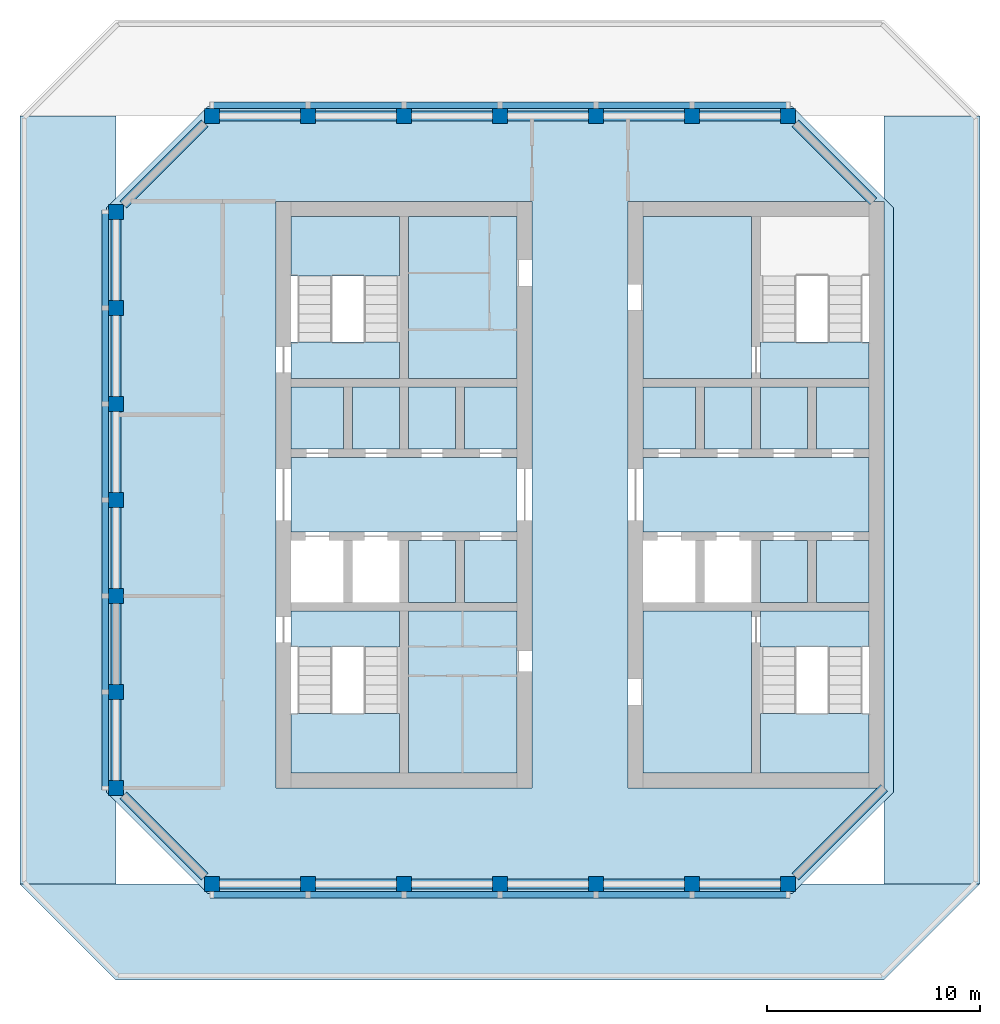
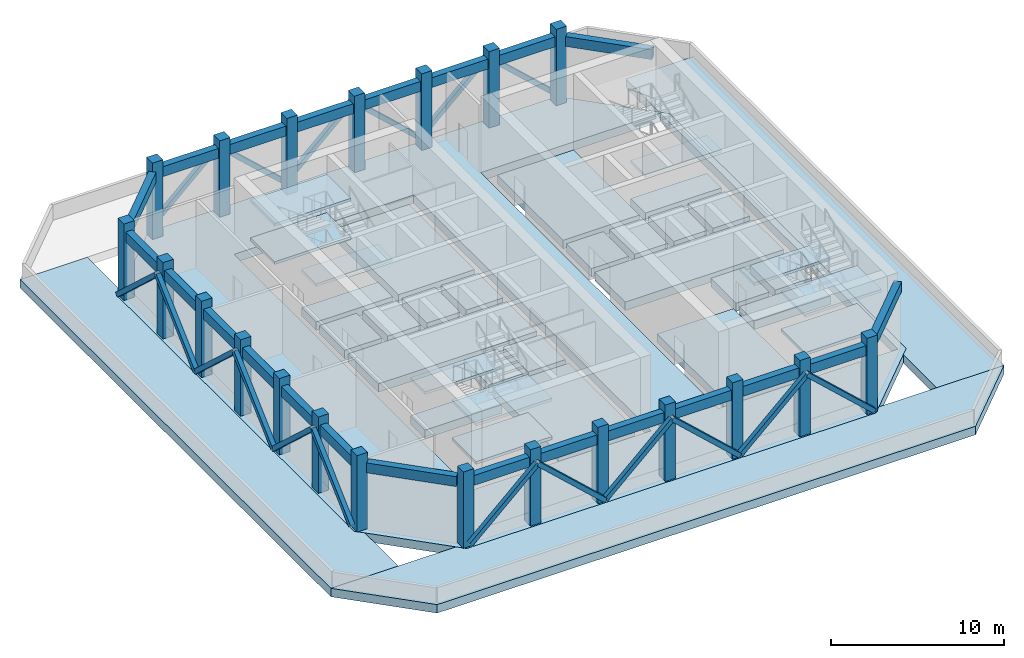
# One storey, part 1 of 8: 36 slabs, 22 beams, 21 columns, 18 members, 4 elements without a shape of their own.
"""IFC4 building model written with IfcOpenShell, lengths in metres."""

from ifc_helpers import new_model, si_unit, direction, frame, origin, origin_2d, place, context, subcontext, project, spatial, polyline, rectangle, hollow_rectangle, outline, extrude, material, layer, layer_set, material_profile, profile_set, type_object, element, aggregate, save


model = new_model("IFC4")

# Units and contexts
model_context = context("Model", 3, precision=1e-05, world=origin(), true_north=direction((0.0, 1.0)))
body_context = subcontext(model_context, "Body", "Model", "MODEL_VIEW")
ifc_project = project(units=[si_unit("LENGTHUNIT", "METRE"), si_unit("AREAUNIT", "SQUARE_METRE"), si_unit("VOLUMEUNIT", "CUBIC_METRE"), si_unit("PLANEANGLEUNIT", "RADIAN"), si_unit("MASSUNIT", "GRAM", prefix="KILO")], contexts=[model_context])

# Site, building, storey
site_placement = place(None, origin())
site = spatial("IfcSite", under=ifc_project, at=site_placement, CompositionType="ELEMENT")
building_placement = place(site_placement, origin())
building = spatial("IfcBuilding", under=site, at=building_placement, Name="Corbel Stack Research Tower", CompositionType="ELEMENT")
storey_placement = place(building_placement, frame((0.0, 0.0, 301.0)))
storey = spatial("IfcBuildingStorey", under=building, at=storey_placement, Name="L68", CompositionType="ELEMENT", Elevation=301.0)

# Columns
ifc_material_1 = material(Name="Concrete C60/75", Category="concrete")
ifc_material_profile_1 = material_profile(ifc_material_1, rectangle(XDim=0.699951171875, YDim=0.699951171875, at=origin_2d()), Name="RC 700 x 700")
ifc_profile_set_1 = profile_set([ifc_material_profile_1], Name="Concrete C60/75")
column_type = type_object("IfcColumnType", Name="C-700-60", PredefinedType="COLUMN", material=ifc_profile_set_1)
for number, where, z_axis, x_axis, name in (
    (1, (-18.0, -9.0, -0.60009765625), (0.0, 0.0, 1.0), (1.0, 0.0, 0.0), "Column 4/F L68"),
    (2, (-18.0, -4.5, -0.60009765625), (0.0, 0.0, 1.0), (1.0, 0.0, 0.0), "Column 4/G L68"),
    (3, (-18.0, 0.0, -0.60009765625), (0.0, 0.0, 1.0), (1.0, 0.0, 0.0), "Column 4/H L68"),
    (4, (-18.0, 4.5, -0.60009765625), (0.0, 0.0, 1.0), (1.0, 0.0, 0.0), "Column 4/J L68"),
    (5, (-18.0, 9.0, -0.60009765625), (0.0, 0.0, 1.0), (1.0, 0.0, 0.0), "Column 4/K L68"),
    (6, (-18.0, 13.5, -0.60009765625), (0.0, 0.0, 1.0), (1.0, 0.0, 0.0), "Column 4/L L68"),
    (7, (-18.0, 18.0, -0.60009765625), (0.0, 0.0, 1.0), (1.0, 0.0, 0.0), "Column 4/M L68"),
    (8, (-13.5, -13.5, -0.60009765625), (0.0, 0.0, 1.0), (1.0, 0.0, 0.0), "Column 5/E L68"),
    (9, (-13.5, 22.5, -0.60009765625), (0.0, 0.0, 1.0), (1.0, 0.0, 0.0), "Column 5/N L68"),
    (10, (-9.0, -13.5, -0.60009765625), (0.0, 0.0, 1.0), (1.0, 0.0, 0.0), "Column 6/E L68"),
    (11, (-9.0, 22.5, -0.60009765625), (0.0, 0.0, 1.0), (1.0, 0.0, 0.0), "Column 6/N L68"),
    (12, (-4.5, -13.5, -0.60009765625), (0.0, 0.0, 1.0), (1.0, 0.0, 0.0), "Column 7/E L68"),
    (13, (-4.5, 22.5, -0.60009765625), (0.0, 0.0, 1.0), (1.0, 0.0, 0.0), "Column 7/N L68"),
    (14, (0.0, -13.5, -0.60009765625), (0.0, 0.0, 1.0), (1.0, 0.0, 0.0), "Column 8/E L68"),
    (15, (0.0, 22.5, -0.60009765625), (0.0, 0.0, 1.0), (1.0, 0.0, 0.0), "Column 8/N L68"),
    (16, (4.5, -13.5, -0.60009765625), (0.0, 0.0, 1.0), (1.0, 0.0, 0.0), "Column 9/E L68"),
    (17, (4.5, 22.5, -0.60009765625), (0.0, 0.0, 1.0), (1.0, 0.0, 0.0), "Column 9/N L68"),
    (18, (9.0, -13.5, -0.60009765625), (0.0, 0.0, 1.0), (1.0, 0.0, 0.0), "Column 10/E L68"),
    (19, (9.0, 22.5, -0.60009765625), (0.0, 0.0, 1.0), (1.0, 0.0, 0.0), "Column 10/N L68"),
    (20, (13.5, -13.5, -0.60009765625), (0.0, 0.0, 1.0), (1.0, 0.0, 0.0), "Column 11/E L68"),
    (21, (13.5, 22.5, -0.60009765625), (0.0, 0.0, 1.0), (1.0, 0.0, 0.0), "Column 11/N L68"),
):
    element("IfcColumn", number, at=place(storey_placement, frame(where, z_axis=z_axis, x_axis=x_axis)), inside=storey, type_object=column_type, Name=name, PredefinedType="COLUMN", context=body_context, shape_type="SweptSolid", body=[
        extrude(rectangle(XDim=0.699951171875, YDim=0.699951171875, at=origin_2d()), origin(), (0.0, 0.0, 1.0), 6.0),
    ])

# Members
ifc_material_2 = material(Name="Steel S355", Category="steel")
ifc_material_profile_2 = material_profile(ifc_material_2, hollow_rectangle(XDim=0.304931640625, YDim=0.304931640625, WallThickness=0.014892578125, at=origin_2d()), Name="HSS12x12x5/8")
ifc_profile_set_2 = profile_set([ifc_material_profile_2], Name="Steel S355")
member_type = type_object("IfcMemberType", Name="Crown belt brace HSS12x12x5/8", PredefinedType="BRACE", material=ifc_profile_set_2)
for number, where, z_axis, x_axis, name in (
    (22, (-13.5, -14.00244140625, 0.300048828125), (0.735124465476, 0.0, 0.677932164939), (0.0, 1.0, 0.0), "Crown belt brace L68-01"),
    (23, (-4.5, -14.00244140625, 0.300048828125), (-0.735124465476, 0.0, 0.677932164939), (0.0, -1.0, 0.0), "Crown belt brace L68-02"),
    (24, (-4.5, -14.00244140625, 0.300048828125), (0.735124465476, 0.0, 0.677932164939), (0.0, 1.0, 0.0), "Crown belt brace L68-03"),
    (25, (4.5, -14.00244140625, 0.300048828125), (-0.735124465476, 0.0, 0.677932164939), (0.0, -1.0, 0.0), "Crown belt brace L68-04"),
    (26, (4.5, -14.00244140625, 0.300048828125), (0.735124465476, 0.0, 0.677932164939), (0.0, 1.0, 0.0), "Crown belt brace L68-05"),
    (27, (13.5, -14.00244140625, 0.300048828125), (-0.735124465476, 0.0, 0.677932164939), (0.0, -1.0, 0.0), "Crown belt brace L68-06"),
    (28, (13.5, 23.00244140625, 0.300048828125), (-0.735124465476, 0.0, 0.677932164939), (0.0, -1.0, 0.0), "Crown belt brace L68-07"),
    (29, (4.5, 23.00244140625, 0.300048828125), (0.735124465476, 0.0, 0.677932164939), (0.0, 1.0, 0.0), "Crown belt brace L68-08"),
    (30, (4.5, 23.00244140625, 0.300048828125), (-0.735124465476, 0.0, 0.677932164939), (0.0, -1.0, 0.0), "Crown belt brace L68-09"),
    (31, (-4.5, 23.00244140625, 0.300048828125), (0.735124465476, 0.0, 0.677932164939), (0.0, 1.0, 0.0), "Crown belt brace L68-10"),
    (32, (-4.5, 23.00244140625, 0.300048828125), (-0.735124465476, 0.0, 0.677932164939), (0.0, -1.0, 0.0), "Crown belt brace L68-11"),
    (33, (-13.5, 23.00244140625, 0.300048828125), (0.735124465476, 0.0, 0.677932164939), (0.0, 1.0, 0.0), "Crown belt brace L68-12"),
    (34, (-18.50244140625, 18.0, 0.300048828125), (0.0, -0.735124465476, 0.677932164939), (1.0, 0.0, 0.0), "Crown belt brace L68-13"),
    (35, (-18.50244140625, 9.0, 0.300048828125), (0.0, 0.735124465476, 0.677932164939), (-1.0, 0.0, 0.0), "Crown belt brace L68-14"),
    (36, (-18.50244140625, 9.0, 0.300048828125), (0.0, -0.735124465476, 0.677932164939), (1.0, 0.0, 0.0), "Crown belt brace L68-15"),
    (37, (-18.50244140625, 0.0, 0.300048828125), (0.0, 0.735124465476, 0.677932164939), (-1.0, 0.0, 0.0), "Crown belt brace L68-16"),
    (38, (-18.50244140625, 0.0, 0.300048828125), (0.0, -0.735124465476, 0.677932164939), (1.0, 0.0, 0.0), "Crown belt brace L68-17"),
    (39, (-18.50244140625, -9.0, 0.300048828125), (0.0, 0.735124465476, 0.677932164939), (-1.0, 0.0, 0.0), "Crown belt brace L68-18"),
):
    element("IfcMember", number, at=place(storey_placement, frame(where, z_axis=z_axis, x_axis=x_axis)), inside=storey, type_object=member_type, Name=name, PredefinedType="BRACE", context=body_context, shape_type="SweptSolid", body=[
        extrude(hollow_rectangle(XDim=0.304931640625, YDim=0.304931640625, WallThickness=0.014892578125, at=origin_2d()), origin(), (0.0, 0.0, 1.0), 6.121337890625),
    ])

# Beams
ifc_material_3 = material(Name="Concrete C60/75", Category="concrete")
ifc_material_profile_3 = material_profile(ifc_material_3, rectangle(XDim=0.449951171875, YDim=0.699951171875, at=origin_2d()), Name="RC 450 x 700")
ifc_profile_set_3 = profile_set([ifc_material_profile_3], Name="Concrete C60/75")
beam_type = type_object("IfcBeamType", Name="SB-450-700", PredefinedType="SPANDREL", material=ifc_profile_set_3)
for number, where, z_axis, x_axis, name in (
    (40, (-13.14990234375, -13.5, 4.449951171875), (1.0, 0.0, 0.0), (0.0, 1.0, 0.0), "Spandrel beam L68-01"),
    (41, (-8.64990234375, -13.5, 4.449951171875), (1.0, 0.0, 0.0), (0.0, 1.0, 0.0), "Spandrel beam L68-02"),
    (42, (-4.14990234375, -13.5, 4.449951171875), (1.0, 0.0, 0.0), (0.0, 1.0, 0.0), "Spandrel beam L68-03"),
    (43, (0.35009765625, -13.5, 4.449951171875), (1.0, 0.0, 0.0), (0.0, 1.0, 0.0), "Spandrel beam L68-04"),
    (44, (4.85009765625, -13.5, 4.449951171875), (1.0, 0.0, 0.0), (0.0, 1.0, 0.0), "Spandrel beam L68-05"),
    (45, (9.35009765625, -13.5, 4.449951171875), (1.0, 0.0, 0.0), (0.0, 1.0, 0.0), "Spandrel beam L68-06"),
):
    element("IfcBeam", number, at=place(storey_placement, frame(where, z_axis=z_axis, x_axis=x_axis)), inside=storey, type_object=beam_type, Name=name, PredefinedType="SPANDREL", context=body_context, shape_type="SweptSolid", body=[
        extrude(rectangle(XDim=0.449951171875, YDim=0.699951171875, at=origin_2d()), origin(), (0.0, 0.0, 1.0), 3.7998046875),
    ])
beam_1_placement = place(storey_placement, frame((13.85009765625, -13.14990234375, 4.449951171875), z_axis=(0.707106781187, 0.707106781187, 0.0), x_axis=(-0.707106781187, 0.707106781187, 0.0)))
element("IfcBeam", 46, at=beam_1_placement, inside=storey, type_object=beam_type, Name="Spandrel beam L68-07", PredefinedType="SPANDREL", context=body_context, shape_type="SweptSolid", body=[
    extrude(rectangle(XDim=0.449951171875, YDim=0.699951171875, at=origin_2d()), origin(), (0.0, 0.0, 1.0), 5.868896484375),
])
beam_2_placement = place(storey_placement, frame((17.5, 18.5, 4.449951171875), z_axis=(-0.707106781187, 0.707106781187, 0.0), x_axis=(-0.707106781187, -0.707106781187, 0.0)))
element("IfcBeam", 47, at=beam_2_placement, inside=storey, type_object=beam_type, Name="Spandrel beam L68-08", PredefinedType="SPANDREL", context=body_context, shape_type="SweptSolid", body=[
    extrude(rectangle(XDim=0.449951171875, YDim=0.699951171875, at=origin_2d()), origin(), (0.0, 0.0, 1.0), 5.16162109375),
])
for number, where, z_axis, x_axis, name in (
    (48, (13.14990234375, 22.5, 4.449951171875), (-1.0, 0.0, 0.0), (0.0, -1.0, 0.0), "Spandrel beam L68-09"),
    (49, (8.64990234375, 22.5, 4.449951171875), (-1.0, 0.0, 0.0), (0.0, -1.0, 0.0), "Spandrel beam L68-10"),
    (50, (4.14990234375, 22.5, 4.449951171875), (-1.0, 0.0, 0.0), (0.0, -1.0, 0.0), "Spandrel beam L68-11"),
    (51, (-0.35009765625, 22.5, 4.449951171875), (-1.0, 0.0, 0.0), (0.0, -1.0, 0.0), "Spandrel beam L68-12"),
    (52, (-4.85009765625, 22.5, 4.449951171875), (-1.0, 0.0, 0.0), (0.0, -1.0, 0.0), "Spandrel beam L68-13"),
    (53, (-9.35009765625, 22.5, 4.449951171875), (-1.0, 0.0, 0.0), (0.0, -1.0, 0.0), "Spandrel beam L68-14"),
):
    element("IfcBeam", number, at=place(storey_placement, frame(where, z_axis=z_axis, x_axis=x_axis)), inside=storey, type_object=beam_type, Name=name, PredefinedType="SPANDREL", context=body_context, shape_type="SweptSolid", body=[
        extrude(rectangle(XDim=0.449951171875, YDim=0.699951171875, at=origin_2d()), origin(), (0.0, 0.0, 1.0), 3.7998046875),
    ])
beam_3_placement = place(storey_placement, frame((-13.85009765625, 22.14990234375, 4.449951171875), z_axis=(-0.707106781187, -0.707106781187, 0.0), x_axis=(0.707106781187, -0.707106781187, 0.0)))
element("IfcBeam", 54, at=beam_3_placement, inside=storey, type_object=beam_type, Name="Spandrel beam L68-15", PredefinedType="SPANDREL", context=body_context, shape_type="SweptSolid", body=[
    extrude(rectangle(XDim=0.449951171875, YDim=0.699951171875, at=origin_2d()), origin(), (0.0, 0.0, 1.0), 5.373779296875),
])
for number, where, z_axis, x_axis, name in (
    (55, (-18.0, 17.64990234375, 4.449951171875), (0.0, -1.0, 0.0), (1.0, 0.0, 0.0), "Spandrel beam L68-16"),
    (56, (-18.0, 13.14990234375, 4.449951171875), (0.0, -1.0, 0.0), (1.0, 0.0, 0.0), "Spandrel beam L68-17"),
    (57, (-18.0, 8.64990234375, 4.449951171875), (0.0, -1.0, 0.0), (1.0, 0.0, 0.0), "Spandrel beam L68-18"),
    (58, (-18.0, 4.14990234375, 4.449951171875), (0.0, -1.0, 0.0), (1.0, 0.0, 0.0), "Spandrel beam L68-19"),
    (59, (-18.0, -0.35009765625, 4.449951171875), (0.0, -1.0, 0.0), (1.0, 0.0, 0.0), "Spandrel beam L68-20"),
    (60, (-18.0, -4.85009765625, 4.449951171875), (0.0, -1.0, 0.0), (1.0, 0.0, 0.0), "Spandrel beam L68-21"),
):
    element("IfcBeam", number, at=place(storey_placement, frame(where, z_axis=z_axis, x_axis=x_axis)), inside=storey, type_object=beam_type, Name=name, PredefinedType="SPANDREL", context=body_context, shape_type="SweptSolid", body=[
        extrude(rectangle(XDim=0.449951171875, YDim=0.699951171875, at=origin_2d()), origin(), (0.0, 0.0, 1.0), 3.7998046875),
    ])
beam_4_placement = place(storey_placement, frame((-17.64990234375, -9.35009765625, 4.449951171875), z_axis=(0.707106781187, -0.707106781187, 0.0), x_axis=(0.707106781187, 0.707106781187, 0.0)))
element("IfcBeam", 61, at=beam_4_placement, inside=storey, type_object=beam_type, Name="Spandrel beam L68-22", PredefinedType="SPANDREL", context=body_context, shape_type="SweptSolid", body=[
    extrude(rectangle(XDim=0.449951171875, YDim=0.699951171875, at=origin_2d()), origin(), (0.0, 0.0, 1.0), 5.373779296875),
])

# Slabs
ifc_material_4 = material(Name="Concrete C45/55", Category="concrete")
ifc_layer_1 = layer(ifc_material_4, 0.60009765625)
ifc_layer_set_1 = layer_set([ifc_layer_1], Name="Concrete C45/55")
slab_type_1 = type_object("IfcSlabType", Name="PT-600", PredefinedType="FLOOR", material=ifc_layer_set_1)
slab_1_placement = place(storey_placement, frame((0.0, 0.0, -0.60009765625)))
element("IfcSlab", 62, at=slab_1_placement, inside=storey, type_object=slab_type_1, Name="Floor slab L68", PredefinedType="FLOOR", context=body_context, shape_type="SweptSolid", body=[
    extrude(outline(polyline([(-13.686279296875, -13.949951171875), (13.686279296875, -13.949951171875), (18.449951171875, -9.186279296875), (18.449951171875, 18.186279296875), (13.686279296875, 22.949951171875), (-13.686279296875, 22.949951171875), (-18.449951171875, 18.186279296875), (-18.449951171875, -9.186279296875), (-13.686279296875, -13.949951171875)]), holes=[polyline([(6.0, -9.0), (6.0, 18.5), (18.0, 18.5), (18.0, -9.0), (6.0, -9.0)]), polyline([(-10.5, -9.0), (-10.5, 18.5), (1.5, 18.5), (1.5, -9.0), (-10.5, -9.0)])]), origin(), (0.0, 0.0, 1.0), 0.60009765625),
])
slab_2_placement = place(storey_placement, frame((0.0, 0.0, -0.60009765625)))
element("IfcSlab", 63, at=slab_2_placement, inside=storey, type_object=slab_type_1, Name="West core floor L68", PredefinedType="FLOOR", context=body_context, shape_type="SweptSolid", body=[
    extrude(outline(polyline([(-9.800048828125, 6.5), (-9.800048828125, 3.0), (0.800048828125, 3.0), (0.800048828125, 6.5), (-9.800048828125, 6.5)])), origin(), (0.0, 0.0, 1.0), 0.60009765625),
])
slab_3_placement = place(storey_placement, frame((0.0, 0.0, -0.60009765625)))
element("IfcSlab", 64, at=slab_3_placement, inside=storey, type_object=slab_type_1, Name="West core floor L68", PredefinedType="FLOOR", context=body_context, shape_type="SweptSolid", body=[
    extrude(outline(polyline([(-9.800048828125, 6.89990234375), (-7.324951171875, 6.89990234375), (-7.324951171875, 9.800048828125), (-9.800048828125, 9.800048828125), (-9.800048828125, 6.89990234375)])), origin(), (0.0, 0.0, 1.0), 0.60009765625),
])
slab_4_placement = place(storey_placement, frame((0.0, 0.0, -0.60009765625)))
element("IfcSlab", 65, at=slab_4_placement, inside=storey, type_object=slab_type_1, Name="West core floor L68", PredefinedType="FLOOR", context=body_context, shape_type="SweptSolid", body=[
    extrude(outline(polyline([(-6.925048828125, 6.89990234375), (-4.699951171875, 6.89990234375), (-4.699951171875, 9.800048828125), (-6.925048828125, 9.800048828125), (-6.925048828125, 6.89990234375)])), origin(), (0.0, 0.0, 1.0), 0.60009765625),
])
slab_5_placement = place(storey_placement, frame((0.0, 0.0, -0.60009765625)))
element("IfcSlab", 66, at=slab_5_placement, inside=storey, type_object=slab_type_1, Name="West core floor L68", PredefinedType="FLOOR", context=body_context, shape_type="SweptSolid", body=[
    extrude(outline(polyline([(-4.300048828125, -0.699951171875), (-4.300048828125, -8.300048828125), (0.800048828125, -8.300048828125), (0.800048828125, -0.699951171875), (-4.300048828125, -0.699951171875)])), origin(), (0.0, 0.0, 1.0), 0.60009765625),
])
slab_6_placement = place(storey_placement, frame((0.0, 0.0, -0.60009765625)))
element("IfcSlab", 67, at=slab_6_placement, inside=storey, type_object=slab_type_1, Name="West core floor L68", PredefinedType="FLOOR", context=body_context, shape_type="SweptSolid", body=[
    extrude(outline(polyline([(-4.300048828125, 2.60009765625), (-4.300048828125, -0.300048828125), (-2.074951171875, -0.300048828125), (-2.074951171875, 2.60009765625), (-4.300048828125, 2.60009765625)])), origin(), (0.0, 0.0, 1.0), 0.60009765625),
])
slab_7_placement = place(storey_placement, frame((0.0, 0.0, -0.60009765625)))
element("IfcSlab", 68, at=slab_7_placement, inside=storey, type_object=slab_type_1, Name="West core floor L68", PredefinedType="FLOOR", context=body_context, shape_type="SweptSolid", body=[
    extrude(outline(polyline([(-2.074951171875, 6.89990234375), (-2.074951171875, 9.800048828125), (-4.300048828125, 9.800048828125), (-4.300048828125, 6.89990234375), (-2.074951171875, 6.89990234375)])), origin(), (0.0, 0.0, 1.0), 0.60009765625),
])
slab_8_placement = place(storey_placement, frame((0.0, 0.0, -0.60009765625)))
element("IfcSlab", 69, at=slab_8_placement, inside=storey, type_object=slab_type_1, Name="West core floor L68", PredefinedType="FLOOR", context=body_context, shape_type="SweptSolid", body=[
    extrude(outline(polyline([(-4.300048828125, 17.800048828125), (-4.300048828125, 10.199951171875), (0.800048828125, 10.199951171875), (0.800048828125, 17.800048828125), (-4.300048828125, 17.800048828125)])), origin(), (0.0, 0.0, 1.0), 0.60009765625),
])
slab_9_placement = place(storey_placement, frame((0.0, 0.0, -0.60009765625)))
element("IfcSlab", 70, at=slab_9_placement, inside=storey, type_object=slab_type_1, Name="West core floor L68", PredefinedType="FLOOR", context=body_context, shape_type="SweptSolid", body=[
    extrude(outline(polyline([(-1.675048828125, 2.60009765625), (-1.675048828125, -0.300048828125), (0.800048828125, -0.300048828125), (0.800048828125, 2.60009765625), (-1.675048828125, 2.60009765625)])), origin(), (0.0, 0.0, 1.0), 0.60009765625),
])
slab_10_placement = place(storey_placement, frame((0.0, 0.0, -0.60009765625)))
element("IfcSlab", 71, at=slab_10_placement, inside=storey, type_object=slab_type_1, Name="West core floor L68", PredefinedType="FLOOR", context=body_context, shape_type="SweptSolid", body=[
    extrude(outline(polyline([(0.800048828125, 6.89990234375), (0.800048828125, 9.800048828125), (-1.675048828125, 9.800048828125), (-1.675048828125, 6.89990234375), (0.800048828125, 6.89990234375)])), origin(), (0.0, 0.0, 1.0), 0.60009765625),
])
slab_11_placement = place(storey_placement, frame((0.0, 0.0, -0.60009765625)))
element("IfcSlab", 72, at=slab_11_placement, inside=storey, type_object=slab_type_1, Name="East core floor L68", PredefinedType="FLOOR", context=body_context, shape_type="SweptSolid", body=[
    extrude(outline(polyline([(6.699951171875, -8.300048828125), (11.800048828125, -8.300048828125), (11.800048828125, -0.699951171875), (6.699951171875, -0.699951171875), (6.699951171875, -8.300048828125)])), origin(), (0.0, 0.0, 1.0), 0.60009765625),
])
slab_12_placement = place(storey_placement, frame((0.0, 0.0, -0.60009765625)))
element("IfcSlab", 73, at=slab_12_placement, inside=storey, type_object=slab_type_1, Name="East core floor L68", PredefinedType="FLOOR", context=body_context, shape_type="SweptSolid", body=[
    extrude(outline(polyline([(6.699951171875, 3.0), (17.300048828125, 3.0), (17.300048828125, 6.5), (6.699951171875, 6.5), (6.699951171875, 3.0)])), origin(), (0.0, 0.0, 1.0), 0.60009765625),
])
slab_13_placement = place(storey_placement, frame((0.0, 0.0, -0.60009765625)))
element("IfcSlab", 74, at=slab_13_placement, inside=storey, type_object=slab_type_1, Name="East core floor L68", PredefinedType="FLOOR", context=body_context, shape_type="SweptSolid", body=[
    extrude(outline(polyline([(6.699951171875, 6.89990234375), (9.175048828125, 6.89990234375), (9.175048828125, 9.800048828125), (6.699951171875, 9.800048828125), (6.699951171875, 6.89990234375)])), origin(), (0.0, 0.0, 1.0), 0.60009765625),
])
slab_14_placement = place(storey_placement, frame((0.0, 0.0, -0.60009765625)))
element("IfcSlab", 75, at=slab_14_placement, inside=storey, type_object=slab_type_1, Name="East core floor L68", PredefinedType="FLOOR", context=body_context, shape_type="SweptSolid", body=[
    extrude(outline(polyline([(6.699951171875, 10.199951171875), (11.800048828125, 10.199951171875), (11.800048828125, 17.800048828125), (6.699951171875, 17.800048828125), (6.699951171875, 10.199951171875)])), origin(), (0.0, 0.0, 1.0), 0.60009765625),
])
slab_15_placement = place(storey_placement, frame((0.0, 0.0, -0.60009765625)))
element("IfcSlab", 76, at=slab_15_placement, inside=storey, type_object=slab_type_1, Name="East core floor L68", PredefinedType="FLOOR", context=body_context, shape_type="SweptSolid", body=[
    extrude(outline(polyline([(9.574951171875, 6.89990234375), (11.800048828125, 6.89990234375), (11.800048828125, 9.800048828125), (9.574951171875, 9.800048828125), (9.574951171875, 6.89990234375)])), origin(), (0.0, 0.0, 1.0), 0.60009765625),
])
slab_16_placement = place(storey_placement, frame((0.0, 0.0, -0.60009765625)))
element("IfcSlab", 77, at=slab_16_placement, inside=storey, type_object=slab_type_1, Name="East core floor L68", PredefinedType="FLOOR", context=body_context, shape_type="SweptSolid", body=[
    extrude(outline(polyline([(12.199951171875, 2.60009765625), (12.199951171875, -0.300048828125), (14.425048828125, -0.300048828125), (14.425048828125, 2.60009765625), (12.199951171875, 2.60009765625)])), origin(), (0.0, 0.0, 1.0), 0.60009765625),
])
slab_17_placement = place(storey_placement, frame((0.0, 0.0, -0.60009765625)))
element("IfcSlab", 78, at=slab_17_placement, inside=storey, type_object=slab_type_1, Name="East core floor L68", PredefinedType="FLOOR", context=body_context, shape_type="SweptSolid", body=[
    extrude(outline(polyline([(14.425048828125, 6.89990234375), (14.425048828125, 9.800048828125), (12.199951171875, 9.800048828125), (12.199951171875, 6.89990234375), (14.425048828125, 6.89990234375)])), origin(), (0.0, 0.0, 1.0), 0.60009765625),
])
slab_18_placement = place(storey_placement, frame((0.0, 0.0, -0.60009765625)))
element("IfcSlab", 79, at=slab_18_placement, inside=storey, type_object=slab_type_1, Name="East core floor L68", PredefinedType="FLOOR", context=body_context, shape_type="SweptSolid", body=[
    extrude(outline(polyline([(14.824951171875, 2.60009765625), (14.824951171875, -0.300048828125), (17.300048828125, -0.300048828125), (17.300048828125, 2.60009765625), (14.824951171875, 2.60009765625)])), origin(), (0.0, 0.0, 1.0), 0.60009765625),
])
slab_19_placement = place(storey_placement, frame((0.0, 0.0, -0.60009765625)))
element("IfcSlab", 80, at=slab_19_placement, inside=storey, type_object=slab_type_1, Name="East core floor L68", PredefinedType="FLOOR", context=body_context, shape_type="SweptSolid", body=[
    extrude(outline(polyline([(17.300048828125, 6.89990234375), (17.300048828125, 9.800048828125), (14.824951171875, 9.800048828125), (14.824951171875, 6.89990234375), (17.300048828125, 6.89990234375)])), origin(), (0.0, 0.0, 1.0), 0.60009765625),
])
slab_20_placement = place(storey_placement, frame((0.0, 0.0, -0.60009765625)))
element("IfcSlab", 81, at=slab_20_placement, inside=storey, type_object=slab_type_1, Name="Stair floor landing ST-W1", PredefinedType="FLOOR", context=body_context, shape_type="SweptSolid", body=[
    extrude(outline(polyline([(-9.800048828125, -2.39990234375), (-4.699951171875, -2.39990234375), (-4.699951171875, -0.699951171875), (-9.800048828125, -0.699951171875), (-9.800048828125, -2.39990234375)])), origin(), (0.0, 0.0, 1.0), 0.60009765625),
])
slab_21_placement = place(storey_placement, frame((0.0, 0.0, -0.60009765625)))
element("IfcSlab", 82, at=slab_21_placement, inside=storey, type_object=slab_type_1, Name="Stair floor landing ST-W2", PredefinedType="FLOOR", context=body_context, shape_type="SweptSolid", body=[
    extrude(outline(polyline([(-9.800048828125, 10.199951171875), (-4.699951171875, 10.199951171875), (-4.699951171875, 11.89990234375), (-9.800048828125, 11.89990234375), (-9.800048828125, 10.199951171875)])), origin(), (0.0, 0.0, 1.0), 0.60009765625),
])
slab_22_placement = place(storey_placement, frame((0.0, 0.0, -0.60009765625)))
element("IfcSlab", 83, at=slab_22_placement, inside=storey, type_object=slab_type_1, Name="Stair floor landing ST-E1", PredefinedType="FLOOR", context=body_context, shape_type="SweptSolid", body=[
    extrude(outline(polyline([(12.199951171875, -2.39990234375), (17.300048828125, -2.39990234375), (17.300048828125, -0.699951171875), (12.199951171875, -0.699951171875), (12.199951171875, -2.39990234375)])), origin(), (0.0, 0.0, 1.0), 0.60009765625),
])
slab_23_placement = place(storey_placement, frame((0.0, 0.0, -0.60009765625)))
element("IfcSlab", 84, at=slab_23_placement, inside=storey, type_object=slab_type_1, Name="Stair floor landing ST-E2", PredefinedType="FLOOR", context=body_context, shape_type="SweptSolid", body=[
    extrude(outline(polyline([(12.199951171875, 10.199951171875), (17.300048828125, 10.199951171875), (17.300048828125, 11.89990234375), (12.199951171875, 11.89990234375), (12.199951171875, 10.199951171875)])), origin(), (0.0, 0.0, 1.0), 0.60009765625),
])

# Stair, slabs
ifc_material_5 = material(Name="Concrete C40/50", Category="concrete")
stair_type = type_object("IfcStairType", Name="Exit stair 32 risers, 443 going", PredefinedType="HALF_TURN_STAIR", material=ifc_material_5)
stair_1_placement = place(storey_placement, origin())
stair_1 = element("IfcStair", 85, at=stair_1_placement, inside=storey, type_object=stair_type, Name="L68 Exit stair ST-W1", PredefinedType="HALF_TURN_STAIR")
ifc_material_6 = material(Name="Concrete C40/50", Category="concrete")
ifc_layer_2 = layer(ifc_material_6, 0.199951171875)
ifc_layer_set_2 = layer_set([ifc_layer_2], Name="Concrete C40/50")
slab_type_2 = type_object("IfcSlabType", Name="Stair landing 200 C40/50", PredefinedType="LANDING", material=ifc_layer_set_2)
slab_24_placement = place(storey_placement, frame((0.0, 0.0, 1.14990234375)))
slab_24 = element("IfcSlab", 86, at=slab_24_placement, type_object=slab_type_2, Name="ST-W1 landing 1", PredefinedType="LANDING", context=body_context, shape_type="SweptSolid", body=[
    extrude(outline(polyline([(-9.800048828125, -8.300048828125), (-9.800048828125, -5.5009765625), (-4.699951171875, -5.5009765625), (-4.699951171875, -8.300048828125), (-9.800048828125, -8.300048828125)])), origin(), (0.0, 0.0, 1.0), 0.2001953125),
])
slab_25_placement = place(storey_placement, frame((0.0, 0.0, 2.5)))
slab_25 = element("IfcSlab", 87, at=slab_25_placement, type_object=slab_type_2, Name="ST-W1 landing 2", PredefinedType="LANDING", context=body_context, shape_type="SweptSolid", body=[
    extrude(outline(polyline([(-9.800048828125, -2.39990234375), (-9.800048828125, -0.699951171875), (-4.699951171875, -0.699951171875), (-4.699951171875, -2.39990234375), (-9.800048828125, -2.39990234375)])), origin(), (0.0, 0.0, 1.0), 0.199951171875),
])
slab_26_placement = place(storey_placement, frame((0.0, 0.0, 3.85009765625)))
slab_26 = element("IfcSlab", 88, at=slab_26_placement, type_object=slab_type_2, Name="ST-W1 landing 3", PredefinedType="LANDING", context=body_context, shape_type="SweptSolid", body=[
    extrude(outline(polyline([(-9.800048828125, -8.300048828125), (-9.800048828125, -5.5009765625), (-4.699951171875, -5.5009765625), (-4.699951171875, -8.300048828125), (-9.800048828125, -8.300048828125)])), origin(), (0.0, 0.0, 1.0), 0.199951171875),
])
aggregate(stair_1, [slab_24, slab_25, slab_26])

stair_2_placement = place(storey_placement, origin())
stair_2 = element("IfcStair", 89, at=stair_2_placement, inside=storey, type_object=stair_type, Name="L68 Exit stair ST-W2", PredefinedType="HALF_TURN_STAIR")
slab_27_placement = place(storey_placement, frame((0.0, 0.0, 1.14990234375)))
slab_27 = element("IfcSlab", 90, at=slab_27_placement, type_object=slab_type_2, Name="ST-W2 landing 1", PredefinedType="LANDING", context=body_context, shape_type="SweptSolid", body=[
    extrude(outline(polyline([(-9.800048828125, 15.0009765625), (-9.800048828125, 17.800048828125), (-4.699951171875, 17.800048828125), (-4.699951171875, 15.0009765625), (-9.800048828125, 15.0009765625)])), origin(), (0.0, 0.0, 1.0), 0.2001953125),
])
slab_28_placement = place(storey_placement, frame((0.0, 0.0, 2.5)))
slab_28 = element("IfcSlab", 91, at=slab_28_placement, type_object=slab_type_2, Name="ST-W2 landing 2", PredefinedType="LANDING", context=body_context, shape_type="SweptSolid", body=[
    extrude(outline(polyline([(-9.800048828125, 10.199951171875), (-9.800048828125, 11.89990234375), (-4.699951171875, 11.89990234375), (-4.699951171875, 10.199951171875), (-9.800048828125, 10.199951171875)])), origin(), (0.0, 0.0, 1.0), 0.199951171875),
])
slab_29_placement = place(storey_placement, frame((0.0, 0.0, 3.85009765625)))
slab_29 = element("IfcSlab", 92, at=slab_29_placement, type_object=slab_type_2, Name="ST-W2 landing 3", PredefinedType="LANDING", context=body_context, shape_type="SweptSolid", body=[
    extrude(outline(polyline([(-9.800048828125, 15.0009765625), (-9.800048828125, 17.800048828125), (-4.699951171875, 17.800048828125), (-4.699951171875, 15.0009765625), (-9.800048828125, 15.0009765625)])), origin(), (0.0, 0.0, 1.0), 0.199951171875),
])
aggregate(stair_2, [slab_27, slab_28, slab_29])

stair_3_placement = place(storey_placement, origin())
stair_3 = element("IfcStair", 93, at=stair_3_placement, inside=storey, type_object=stair_type, Name="L68 Exit stair ST-E1", PredefinedType="HALF_TURN_STAIR")
slab_30_placement = place(storey_placement, frame((0.0, 0.0, 1.14990234375)))
slab_30 = element("IfcSlab", 94, at=slab_30_placement, type_object=slab_type_2, Name="ST-E1 landing 1", PredefinedType="LANDING", context=body_context, shape_type="SweptSolid", body=[
    extrude(outline(polyline([(12.199951171875, -8.300048828125), (12.199951171875, -5.5009765625), (17.300048828125, -5.5009765625), (17.300048828125, -8.300048828125), (12.199951171875, -8.300048828125)])), origin(), (0.0, 0.0, 1.0), 0.2001953125),
])
slab_31_placement = place(storey_placement, frame((0.0, 0.0, 2.5)))
slab_31 = element("IfcSlab", 95, at=slab_31_placement, type_object=slab_type_2, Name="ST-E1 landing 2", PredefinedType="LANDING", context=body_context, shape_type="SweptSolid", body=[
    extrude(outline(polyline([(12.199951171875, -2.39990234375), (12.199951171875, -0.699951171875), (17.300048828125, -0.699951171875), (17.300048828125, -2.39990234375), (12.199951171875, -2.39990234375)])), origin(), (0.0, 0.0, 1.0), 0.199951171875),
])
slab_32_placement = place(storey_placement, frame((0.0, 0.0, 3.85009765625)))
slab_32 = element("IfcSlab", 96, at=slab_32_placement, type_object=slab_type_2, Name="ST-E1 landing 3", PredefinedType="LANDING", context=body_context, shape_type="SweptSolid", body=[
    extrude(outline(polyline([(12.199951171875, -8.300048828125), (12.199951171875, -5.5009765625), (17.300048828125, -5.5009765625), (17.300048828125, -8.300048828125), (12.199951171875, -8.300048828125)])), origin(), (0.0, 0.0, 1.0), 0.199951171875),
])
aggregate(stair_3, [slab_30, slab_31, slab_32])

# Stair, slab
stair_4_placement = place(storey_placement, origin())
stair_4 = element("IfcStair", 97, at=stair_4_placement, inside=storey, type_object=stair_type, Name="L68 Exit stair ST-E2", PredefinedType="HALF_TURN_STAIR")
slab_33_placement = place(storey_placement, frame((0.0, 0.0, 2.5)))
slab_33 = element("IfcSlab", 98, at=slab_33_placement, type_object=slab_type_2, Name="ST-E2 landing 2", PredefinedType="LANDING", context=body_context, shape_type="SweptSolid", body=[
    extrude(outline(polyline([(12.199951171875, 10.199951171875), (12.199951171875, 11.89990234375), (17.300048828125, 11.89990234375), (17.300048828125, 10.199951171875), (12.199951171875, 10.199951171875)])), origin(), (0.0, 0.0, 1.0), 0.199951171875),
])
aggregate(stair_4, [slab_33])

# Slabs
ifc_material_7 = material(Name="Concrete C45/55", Category="concrete")
ifc_layer_3 = layer(ifc_material_7, 0.60009765625)
ifc_layer_set_3 = layer_set([ifc_layer_3], Name="Concrete C45/55")
slab_type_3 = type_object("IfcSlabType", Name="TS-600", PredefinedType="ROOF", material=ifc_layer_set_3)
slab_34_placement = place(storey_placement, frame((0.0, 0.0, -0.60009765625)))
element("IfcSlab", 99, at=slab_34_placement, inside=storey, type_object=slab_type_3, Name="Terrace slab L68", PredefinedType="ROOF", context=body_context, shape_type="SweptSolid", body=[
    extrude(outline(polyline([(14.136474609375, -13.5), (13.686279296875, -13.949951171875), (-13.686279296875, -13.949951171875), (-14.136474609375, -13.5), (-22.5, -13.5), (-18.0, -18.0), (18.0, -18.0), (22.5, -13.5), (14.136474609375, -13.5)])), origin(), (0.0, 0.0, 1.0), 0.60009765625),
])
slab_35_placement = place(storey_placement, frame((0.0, 0.0, -0.60009765625)))
element("IfcSlab", 100, at=slab_35_placement, inside=storey, type_object=slab_type_3, Name="Terrace slab L68", PredefinedType="ROOF", context=body_context, shape_type="SweptSolid", body=[
    extrude(outline(polyline([(-18.0, -9.636474609375), (-18.449951171875, -9.186279296875), (-18.449951171875, 18.186279296875), (-18.0, 18.636474609375), (-18.0, 22.5), (-22.5, 22.5), (-22.5, -13.5), (-18.0, -13.5), (-18.0, -9.636474609375)])), origin(), (0.0, 0.0, 1.0), 0.60009765625),
])
slab_36_placement = place(storey_placement, frame((0.0, 0.0, -0.60009765625)))
element("IfcSlab", 101, at=slab_36_placement, inside=storey, type_object=slab_type_3, Name="Terrace slab L68", PredefinedType="ROOF", context=body_context, shape_type="SweptSolid", body=[
    extrude(outline(polyline([(18.0, 18.636474609375), (18.449951171875, 18.186279296875), (18.449951171875, -9.186279296875), (18.0, -9.636474609375), (18.0, -13.5), (22.5, -13.5), (22.5, 22.5), (18.0, 22.5), (18.0, 18.636474609375)])), origin(), (0.0, 0.0, 1.0), 0.60009765625),
])

save(model, "model.ifc")
